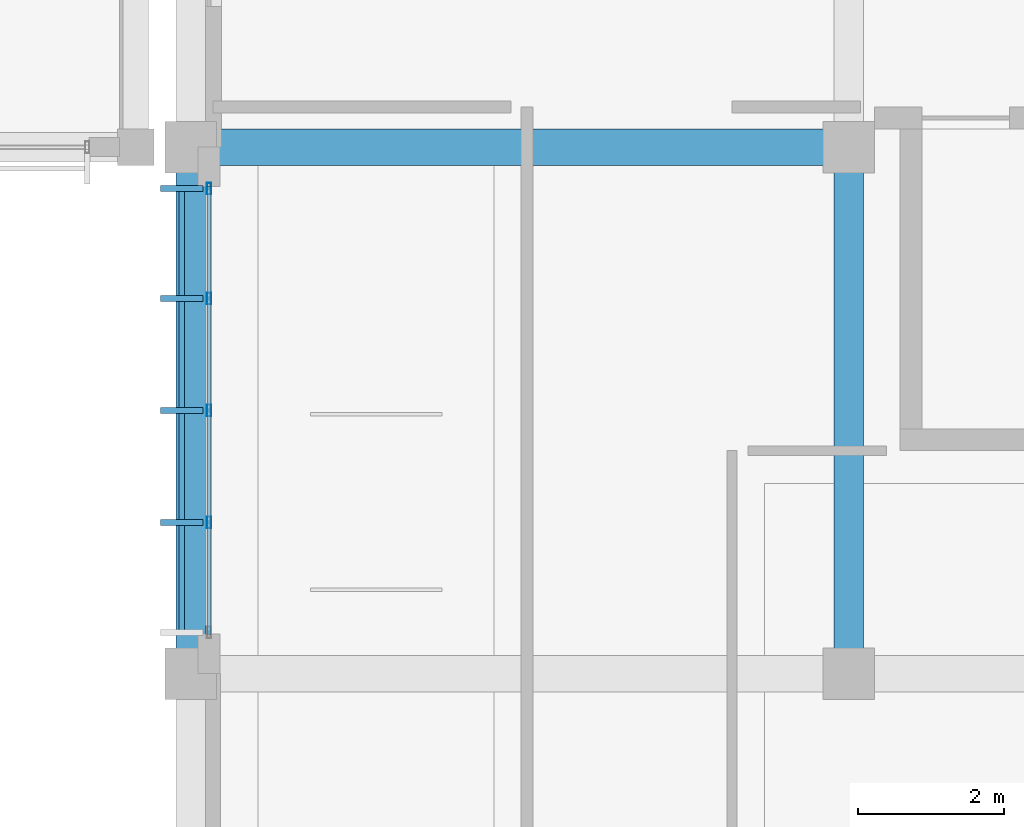
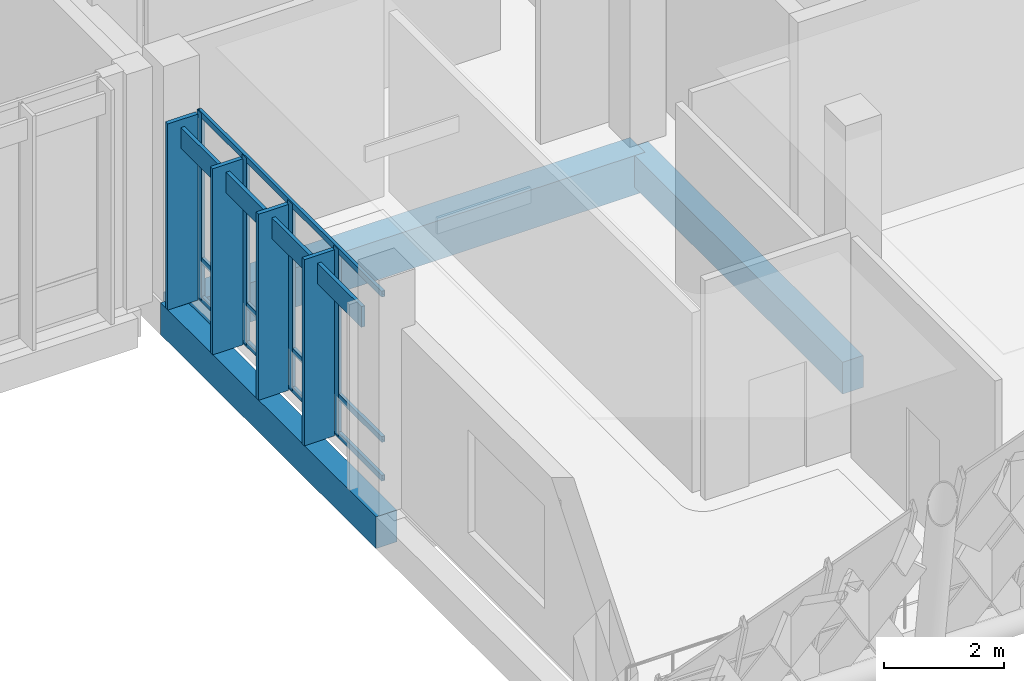
# One storey, part 54 of 177: 12 members, 3 beams, 1 element without a shape of its own.
"""IFC4 building model written with IfcOpenShell, lengths in metres."""

import ifcopenshell
import ifcopenshell.guid

model = None  # the IFC model being written
_history = None  # IfcOwnerHistory: only IFC2X3 demands one
_inside = {}  # id of a spatial element -> (the spatial element, [elements in it])
_under = {}  # id of a project, library or spatial element -> (it, [spatial elements below it])
_declared = {}  # id of a project -> (the project, [libraries it declares])
_typed = {}  # id of a type object -> (the type object, [elements of that type])
_made_of = {}  # id of a material, layer set ... -> (it, [elements and type objects made of it])


def new_model(schema):
    """Start an empty IFC model of exactly this schema.

    Asked for "IFC4X3", IfcOpenShell would pick the latest addendum, in which some entities
    have other attributes; the version numbers below select the first issue.
    IFC2X3 requires an IfcOwnerHistory on every rooted entity: one is made here for all.
    """
    global model, _history
    if schema == "IFC4X3":
        model = ifcopenshell.file(schema_version=(4, 3, 0, 0))
    else:
        model = ifcopenshell.file(schema=schema)
    _inside.clear()
    _under.clear()
    _declared.clear()
    _typed.clear()
    _made_of.clear()
    _history = None
    if model.schema == "IFC2X3":
        org = make("IfcOrganization", Name="unknown")
        user = make(
            "IfcPersonAndOrganization",
            ThePerson=make("IfcPerson", FamilyName="unknown"),
            TheOrganization=org,
        )
        app = make(
            "IfcApplication",
            ApplicationDeveloper=org,
            Version="unknown",
            ApplicationFullName="unknown",
            ApplicationIdentifier="unknown",
        )
        _history = make(
            "IfcOwnerHistory",
            OwningUser=user,
            OwningApplication=app,
            ChangeAction="ADDED",
            CreationDate=0,
        )
    return model


def make(cls, **values):
    """One entity of the class cls with the attributes given. An attribute that is None is left unset."""
    return model.create_entity(
        cls, **{name: value for name, value in values.items() if value is not None}
    )


def rooted(cls, **values):
    """An entity with a GlobalId (a new one), such as an element, a storey or a relation."""
    return make(cls, GlobalId=ifcopenshell.guid.new(), OwnerHistory=_history, **values)


def si_unit(unit_type, name, prefix=None):
    """IfcSIUnit, for example si_unit("LENGTHUNIT", "METRE", prefix="MILLI")."""
    return make("IfcSIUnit", UnitType=unit_type, Prefix=prefix, Name=name)


def assignment(units):
    """IfcUnitAssignment: the units of a project."""
    return None if units is None else make("IfcUnitAssignment", Units=units)


def point(xyz):
    """IfcCartesianPoint."""
    return None if xyz is None else make("IfcCartesianPoint", Coordinates=xyz)


def direction(xyz):
    """IfcDirection."""
    return None if xyz is None else make("IfcDirection", DirectionRatios=xyz)


def frame(location, z_axis=None, x_axis=None):
    """IfcAxis2Placement3D, a coordinate frame: its origin and axes. An axis left out is left unset."""
    return make(
        "IfcAxis2Placement3D",
        Location=point(location),
        Axis=direction(z_axis),
        RefDirection=direction(x_axis),
    )


def frame_2d(location, x_axis=None):
    """IfcAxis2Placement2D, a coordinate frame in the plane: its origin and x axis."""
    return make(
        "IfcAxis2Placement2D", Location=point(location), RefDirection=direction(x_axis)
    )


def origin():
    """The frame at (0, 0, 0) with its axes left unset."""
    return frame((0.0, 0.0, 0.0))


def origin_2d():
    """The frame at (0, 0) in the plane with its x axis left unset."""
    return frame_2d((0.0, 0.0))


def place(relative_to, where):
    """IfcLocalPlacement: puts the frame where relative to a parent placement (None: the world)."""
    return make(
        "IfcLocalPlacement", PlacementRelTo=relative_to, RelativePlacement=where
    )


def context(
    kind, dimensions, precision=None, world=None, true_north=None, identifier=None
):
    """IfcGeometricRepresentationContext, for example the 3D "Model" context."""
    return make(
        "IfcGeometricRepresentationContext",
        ContextIdentifier=identifier,
        ContextType=kind,
        CoordinateSpaceDimension=dimensions,
        Precision=precision,
        WorldCoordinateSystem=world,
        TrueNorth=true_north,
    )


def subcontext(parent, identifier, kind, view, scale=None):
    """IfcGeometricRepresentationSubContext, for example "Body" below "Model"."""
    return make(
        "IfcGeometricRepresentationSubContext",
        ContextIdentifier=identifier,
        ContextType=kind,
        ParentContext=parent,
        TargetScale=scale,
        TargetView=view,
    )


def project(units=None, contexts=None):
    """IfcProject with its units and contexts."""
    return rooted(
        "IfcProject",
        Name="project",
        RepresentationContexts=contexts,
        UnitsInContext=assignment(units),
    )


def spatial(cls, under=None, at=None, **own):
    """A site, building, storey or space (cls), placed at a placement, below another one or the project."""
    s = rooted(cls, ObjectPlacement=at, **own)
    if under is not None:
        _under.setdefault(under.id(), (under, []))[1].append(s)
    return s


def profile(cls, at=None, kind="AREA", **sizes):
    """A parametric profile (cls). Its sizes go by their IFC names, for example OverallWidth=200.0."""
    return make(cls, ProfileType=kind, Position=at, **sizes)


def rectangle(**sizes):
    """IfcRectangleProfileDef."""
    return profile("IfcRectangleProfileDef", **sizes)


def hollow_rectangle(**sizes):
    """IfcRectangleHollowProfileDef."""
    return profile("IfcRectangleHollowProfileDef", **sizes)


def extrude(swept, where, along, depth):
    """IfcExtrudedAreaSolid: the profile swept, set in the frame where, extruded along a direction by depth."""
    return make(
        "IfcExtrudedAreaSolid",
        SweptArea=swept,
        Position=where,
        ExtrudedDirection=direction(along),
        Depth=depth,
    )


def shape(context_of_items, identifier, shape_type, items):
    """IfcShapeRepresentation: the items that make up one representation, for example the "Body"."""
    return make(
        "IfcShapeRepresentation",
        ContextOfItems=context_of_items,
        RepresentationIdentifier=identifier,
        RepresentationType=shape_type,
        Items=items,
    )


def material(Name=None, Category=None):
    """IfcMaterial."""
    return make("IfcMaterial", Name=Name, Category=Category)


def material_profile(
    of_material, cross_section, Name=None, Category=None, Priority=None
):
    """IfcMaterialProfile: a cross section and its material."""
    return make(
        "IfcMaterialProfile",
        Name=Name,
        Material=of_material,
        Profile=cross_section,
        Priority=Priority,
        Category=Category,
    )


def profile_set(profiles, Name=None, composite=None):
    """IfcMaterialProfileSet."""
    return make(
        "IfcMaterialProfileSet",
        Name=Name,
        MaterialProfiles=profiles,
        CompositeProfile=composite,
    )


def made_of(thing, what):
    """Note that an element or type object is made of a material, layer set ...; save() writes the relation."""
    if what is not None:
        _made_of.setdefault(what.id(), (what, []))[1].append(thing)
    return thing


def type_object(cls, material=None, **own):
    """A type object (cls), such as IfcWallType, which elements share."""
    return made_of(rooted(cls, **own), material)


def element(
    cls,
    number,
    at=None,
    inside=None,
    cuts=None,
    type_object=None,
    material=None,
    context=None,
    identifier="Body",
    shape_type=None,
    held_by="IfcProductDefinitionShape",
    body=None,
    shapes=None,
    **own,
):
    """One element of the class cls, such as IfcWall. Its Tag is "e" and its number.

    at: its placement. inside: the storey or other place that contains it. cuts: it is an
    opening in that element (IfcRelVoidsElement). A single representation is given by context,
    identifier, shape_type and body (its items); several are given by shapes. held_by: the class
    of the entity that holds the representations. save() writes the other relations.
    """
    e = rooted(cls, Tag="e%d" % number, ObjectPlacement=at, **own)
    if body is not None:
        shapes = [shape(context, identifier, shape_type, body)]
    if shapes is not None:
        e.Representation = make(held_by, Representations=shapes)
    if inside is not None:
        _inside.setdefault(inside.id(), (inside, []))[1].append(e)
    if cuts is not None:
        rooted(
            "IfcRelVoidsElement", RelatingBuildingElement=cuts, RelatedOpeningElement=e
        )
    if type_object is not None:
        _typed.setdefault(type_object.id(), (type_object, []))[1].append(e)
    return made_of(e, material)


def aggregate(whole, parts):
    """IfcRelAggregates: a whole, such as a stair, and the parts it consists of."""
    return rooted("IfcRelAggregates", RelatingObject=whole, RelatedObjects=parts)


def save(model, path):
    """Write the relations noted so far, then the file.

    IfcRelAggregates (storeys below a building ...), IfcRelContainedInSpatialStructure (elements
    in a storey), IfcRelDefinesByType, IfcRelAssociatesMaterial and IfcRelDeclares: one each for
    every whole, place, type object, material and project.
    """
    for whole, parts in _under.values():
        aggregate(whole, parts)
    for where, things in _inside.values():
        rooted(
            "IfcRelContainedInSpatialStructure",
            RelatedElements=things,
            RelatingStructure=where,
        )
    for kind, things in _typed.values():
        rooted("IfcRelDefinesByType", RelatedObjects=things, RelatingType=kind)
    for what, things in _made_of.values():
        rooted("IfcRelAssociatesMaterial", RelatedObjects=things, RelatingMaterial=what)
    for by, libraries in _declared.values():
        rooted("IfcRelDeclares", RelatingContext=by, RelatedDefinitions=libraries)
    model.write(path)


model = new_model("IFC4")

# Units and contexts
model_context = context("Model", 3, precision=1e-05, world=origin(), true_north=direction((0.0, 1.0)))
body_context = subcontext(model_context, "Body", "Model", "MODEL_VIEW")
ifc_project = project(units=[si_unit("LENGTHUNIT", "METRE"), si_unit("AREAUNIT", "SQUARE_METRE"), si_unit("VOLUMEUNIT", "CUBIC_METRE"), si_unit("PLANEANGLEUNIT", "RADIAN"), si_unit("MASSUNIT", "GRAM", prefix="KILO")], contexts=[model_context])

# Site, building, storey
site_placement = place(None, origin())
site = spatial("IfcSite", under=ifc_project, at=site_placement, CompositionType="ELEMENT")
building_placement = place(site_placement, origin())
building = spatial("IfcBuilding", under=site, at=building_placement, Name="Chiffa Square Polytechnic", CompositionType="ELEMENT")
storey_placement = place(building_placement, frame((0.0, 0.0, 4.800048828125)))
storey = spatial("IfcBuildingStorey", under=building, at=storey_placement, Name="L01", CompositionType="ELEMENT", Elevation=4.800048828125)

# Beams
ifc_material_1 = material(Name="Concrete C35/45", Category="concrete")
ifc_material_profile_1 = material_profile(ifc_material_1, rectangle(XDim=0.39990234375, YDim=0.64990234375, at=origin_2d()), Name="RC 400x650")
ifc_profile_set_1 = profile_set([ifc_material_profile_1], Name="Concrete C35/45")
beam_type_1 = type_object("IfcBeamType", Name="BM-RC-400X650", PredefinedType="BEAM", material=ifc_profile_set_1)
for number, where, z_axis, x_axis, name in (
    (1, (112.199951171875, 14.39990234375, -0.60498046875), (0.0, 1.0, 0.0), (-1.0, 0.0, 0.0), "Primary floor girder BM-V1-L01-Y-1122-0144"),
    (2, (121.199951171875, 14.39990234375, -0.60498046875), (0.0, 1.0, 0.0), (-1.0, 0.0, 0.0), "Primary floor girder BM-V1-L01-Y-1212-0144"),
):
    element("IfcBeam", number, at=place(storey_placement, frame(where, z_axis=z_axis, x_axis=x_axis)), inside=storey, type_object=beam_type_1, Name=name, PredefinedType="BEAM", context=body_context, shape_type="SweptSolid", body=[
        extrude(rectangle(XDim=0.39990234375, YDim=0.64990234375, at=origin_2d()), origin(), (0.0, 0.0, 1.0), 7.2001953125),
    ])
ifc_material_2 = material(Name="Concrete C40/50", Category="concrete")
ifc_material_profile_2 = material_profile(ifc_material_2, rectangle(XDim=0.5, YDim=0.800048828125, at=origin_2d()), Name="RC 500x800")
ifc_profile_set_2 = profile_set([ifc_material_profile_2], Name="Concrete C40/50")
beam_type_2 = type_object("IfcBeamType", Name="BM-RC-500X800", PredefinedType="BEAM", material=ifc_profile_set_2)
beam_placement = place(storey_placement, frame((112.199951171875, 21.60009765625, -0.679931640625), z_axis=(1.0, 0.0, 0.0), x_axis=(0.0, 1.0, 0.0)))
element("IfcBeam", 3, at=beam_placement, inside=storey, type_object=beam_type_2, Name="Primary floor girder BM-V1-L01-X-1122-0216", PredefinedType="BEAM", context=body_context, shape_type="SweptSolid", body=[
    extrude(rectangle(XDim=0.5, YDim=0.800048828125, at=origin_2d()), origin(), (0.0, 0.0, 1.0), 9.0),
])

# Curtain wall, members
ifc_material_3 = material(Name="Aluminium EN AW-6060 T66 and glulam shading", Category="wood")
curtain_wall_type = type_object("IfcCurtainWallType", Name="CW-VERT-600X440", PredefinedType="USERDEFINED", material=ifc_material_3)
curtain_wall_placement = place(storey_placement, origin())
curtain_wall = element("IfcCurtainWall", 4, at=curtain_wall_placement, inside=storey, type_object=curtain_wall_type, Name="Curtain wall CW-V1-L01-129", ObjectType="CURTAIN WALL", PredefinedType="USERDEFINED")
ifc_material_4 = material(Name="Aluminium EN AW-6060 T66", Category="aluminium")
ifc_material_profile_3 = material_profile(ifc_material_4, hollow_rectangle(XDim=0.06005859375, YDim=0.159912109375, WallThickness=0.00390625, at=origin_2d()), Name="ALU 60x160x4")
ifc_profile_set_3 = profile_set([ifc_material_profile_3], Name="Aluminium EN AW-6060 T66")
member_type_1 = type_object("IfcMemberType", Name="CWM-ALU-65X150", PredefinedType="MULLION", material=ifc_profile_set_3)
member_1_placement = place(storey_placement, frame((112.449951171875, 21.034912109375, 0.0), z_axis=(0.0, 0.0, 1.0), x_axis=(1.0, 0.0, 0.0)))
member_1 = element("IfcMember", 5, at=member_1_placement, type_object=member_type_1, Name="Curtain wall mullion CW-V1-L01-129-M00", PredefinedType="MULLION", context=body_context, shape_type="SweptSolid", body=[
    extrude(hollow_rectangle(XDim=0.06005859375, YDim=0.159912109375, WallThickness=0.00390625, at=origin_2d()), origin(), (0.0, 0.0, 1.0), 3.81494140625),
])
member_2_placement = place(storey_placement, frame((112.449951171875, 19.530029296875, 0.0), z_axis=(0.0, 0.0, 1.0), x_axis=(1.0, 0.0, 0.0)))
member_2 = element("IfcMember", 6, at=member_2_placement, type_object=member_type_1, Name="Curtain wall mullion CW-V1-L01-129-M01", PredefinedType="MULLION", context=body_context, shape_type="SweptSolid", body=[
    extrude(hollow_rectangle(XDim=0.06005859375, YDim=0.159912109375, WallThickness=0.00390625, at=origin_2d()), origin(), (0.0, 0.0, 1.0), 3.81494140625),
])
member_3_placement = place(storey_placement, frame((112.449951171875, 18.0, 0.0), z_axis=(0.0, 0.0, 1.0), x_axis=(1.0, 0.0, 0.0)))
member_3 = element("IfcMember", 7, at=member_3_placement, type_object=member_type_1, Name="Curtain wall mullion CW-V1-L01-129-M02", PredefinedType="MULLION", context=body_context, shape_type="SweptSolid", body=[
    extrude(hollow_rectangle(XDim=0.06005859375, YDim=0.159912109375, WallThickness=0.00390625, at=origin_2d()), origin(), (0.0, 0.0, 1.0), 3.81494140625),
])
member_4_placement = place(storey_placement, frame((112.449951171875, 16.469970703125, 0.0), z_axis=(0.0, 0.0, 1.0), x_axis=(1.0, 0.0, 0.0)))
member_4 = element("IfcMember", 8, at=member_4_placement, type_object=member_type_1, Name="Curtain wall mullion CW-V1-L01-129-M03", PredefinedType="MULLION", context=body_context, shape_type="SweptSolid", body=[
    extrude(hollow_rectangle(XDim=0.06005859375, YDim=0.159912109375, WallThickness=0.00390625, at=origin_2d()), origin(), (0.0, 0.0, 1.0), 3.81494140625),
])
ifc_material_5 = material(Name="Glulam GL28h", Category="wood")
ifc_material_profile_4 = material_profile(ifc_material_5, rectangle(XDim=0.080078125, YDim=0.580078125, at=origin_2d()), Name="GL28h 80x580")
ifc_profile_set_4 = profile_set([ifc_material_profile_4], Name="Glulam GL28h")
member_type_2 = type_object("IfcMemberType", Name="CWM-GL-80X580", PredefinedType="MULLION", material=ifc_profile_set_4)
member_5_placement = place(storey_placement, frame((112.077880859375, 21.034912109375, 0.010009765625), z_axis=(0.0, 0.0, 1.0), x_axis=(0.0, -1.0, 0.0)))
member_5 = element("IfcMember", 9, at=member_5_placement, type_object=member_type_2, Name="Exterior glulam solar fin CW-V1-L01-129-FN00", PredefinedType="MULLION", context=body_context, shape_type="SweptSolid", body=[
    extrude(rectangle(XDim=0.080078125, YDim=0.580078125, at=origin_2d()), origin(), (0.0, 0.0, 1.0), 3.794921875),
])
member_6_placement = place(storey_placement, frame((112.077880859375, 19.530029296875, 0.010009765625), z_axis=(0.0, 0.0, 1.0), x_axis=(0.0, -1.0, 0.0)))
member_6 = element("IfcMember", 10, at=member_6_placement, type_object=member_type_2, Name="Exterior glulam solar fin CW-V1-L01-129-FN01", PredefinedType="MULLION", context=body_context, shape_type="SweptSolid", body=[
    extrude(rectangle(XDim=0.080078125, YDim=0.580078125, at=origin_2d()), origin(), (0.0, 0.0, 1.0), 3.794921875),
])
member_7_placement = place(storey_placement, frame((112.077880859375, 18.0, 0.010009765625), z_axis=(0.0, 0.0, 1.0), x_axis=(0.0, -1.0, 0.0)))
member_7 = element("IfcMember", 11, at=member_7_placement, type_object=member_type_2, Name="Exterior glulam solar fin CW-V1-L01-129-FN02", PredefinedType="MULLION", context=body_context, shape_type="SweptSolid", body=[
    extrude(rectangle(XDim=0.080078125, YDim=0.580078125, at=origin_2d()), origin(), (0.0, 0.0, 1.0), 3.794921875),
])
member_8_placement = place(storey_placement, frame((112.077880859375, 16.469970703125, 0.010009765625), z_axis=(0.0, 0.0, 1.0), x_axis=(0.0, -1.0, 0.0)))
member_8 = element("IfcMember", 12, at=member_8_placement, type_object=member_type_2, Name="Exterior glulam solar fin CW-V1-L01-129-FN03", PredefinedType="MULLION", context=body_context, shape_type="SweptSolid", body=[
    extrude(rectangle(XDim=0.080078125, YDim=0.580078125, at=origin_2d()), origin(), (0.0, 0.0, 1.0), 3.794921875),
])
ifc_material_profile_5 = material_profile(ifc_material_4, hollow_rectangle(XDim=0.06005859375, YDim=0.1201171875, WallThickness=0.00390625, at=origin_2d()), Name="ALU 60x120x4")
ifc_profile_set_5 = profile_set([ifc_material_profile_5], Name="Aluminium EN AW-6060 T66")
member_type_3 = type_object("IfcMemberType", Name="CWT-ALU-65X120", PredefinedType="USERDEFINED", material=ifc_profile_set_5)
member_9_placement = place(storey_placement, frame((112.449951171875, 21.06201171875, 0.030029296875), z_axis=(0.0, -1.0, 0.0), x_axis=(1.0, 0.0, 0.0)))
member_9 = element("IfcMember", 13, at=member_9_placement, type_object=member_type_3, Name="Curtain wall transom CW-V1-L01-129-T01", ObjectType="TRANSOM", PredefinedType="USERDEFINED", context=body_context, shape_type="SweptSolid", body=[
    extrude(hollow_rectangle(XDim=0.06005859375, YDim=0.1201171875, WallThickness=0.00390625, at=origin_2d()), origin(), (0.0, 0.0, 1.0), 6.1240234375),
])
member_10_placement = place(storey_placement, frame((112.449951171875, 21.06201171875, 0.820068359375), z_axis=(0.0, -1.0, 0.0), x_axis=(1.0, 0.0, 0.0)))
member_10 = element("IfcMember", 14, at=member_10_placement, type_object=member_type_3, Name="Curtain wall transom CW-V1-L01-129-T02", ObjectType="TRANSOM", PredefinedType="USERDEFINED", context=body_context, shape_type="SweptSolid", body=[
    extrude(hollow_rectangle(XDim=0.06005859375, YDim=0.1201171875, WallThickness=0.00390625, at=origin_2d()), origin(), (0.0, 0.0, 1.0), 6.1240234375),
])
member_11_placement = place(storey_placement, frame((112.449951171875, 21.06201171875, 3.784912109375), z_axis=(0.0, -1.0, 0.0), x_axis=(1.0, 0.0, 0.0)))
member_11 = element("IfcMember", 15, at=member_11_placement, type_object=member_type_3, Name="Curtain wall transom CW-V1-L01-129-T03", ObjectType="TRANSOM", PredefinedType="USERDEFINED", context=body_context, shape_type="SweptSolid", body=[
    extrude(hollow_rectangle(XDim=0.06005859375, YDim=0.1201171875, WallThickness=0.00390625, at=origin_2d()), origin(), (0.0, 0.0, 1.0), 6.1240234375),
])
ifc_material_profile_6 = material_profile(ifc_material_5, rectangle(XDim=0.070068359375, YDim=0.419921875, at=origin_2d()), Name="GL28h 70x420")
ifc_profile_set_6 = profile_set([ifc_material_profile_6], Name="Glulam GL28h")
member_type_4 = type_object("IfcMemberType", Name="CWT-GL-70X420", PredefinedType="USERDEFINED", material=ifc_profile_set_6)
member_12_placement = place(storey_placement, frame((112.077880859375, 21.034912109375, 3.43505859375), z_axis=(0.0, -1.0, 0.0), x_axis=(1.0, 0.0, 0.0)))
member_12 = element("IfcMember", 16, at=member_12_placement, type_object=member_type_4, Name="Exterior glulam brise-soleil CW-V1-L01-129-BS01", ObjectType="TRANSOM", PredefinedType="USERDEFINED", context=body_context, shape_type="SweptSolid", body=[
    extrude(rectangle(XDim=0.070068359375, YDim=0.419921875, at=origin_2d()), origin(), (0.0, 0.0, 1.0), 6.06982421875),
])
aggregate(curtain_wall, [member_1, member_5, member_2, member_6, member_3, member_7, member_4, member_8, member_9, member_10, member_11, member_12])

save(model, "model.ifc")
